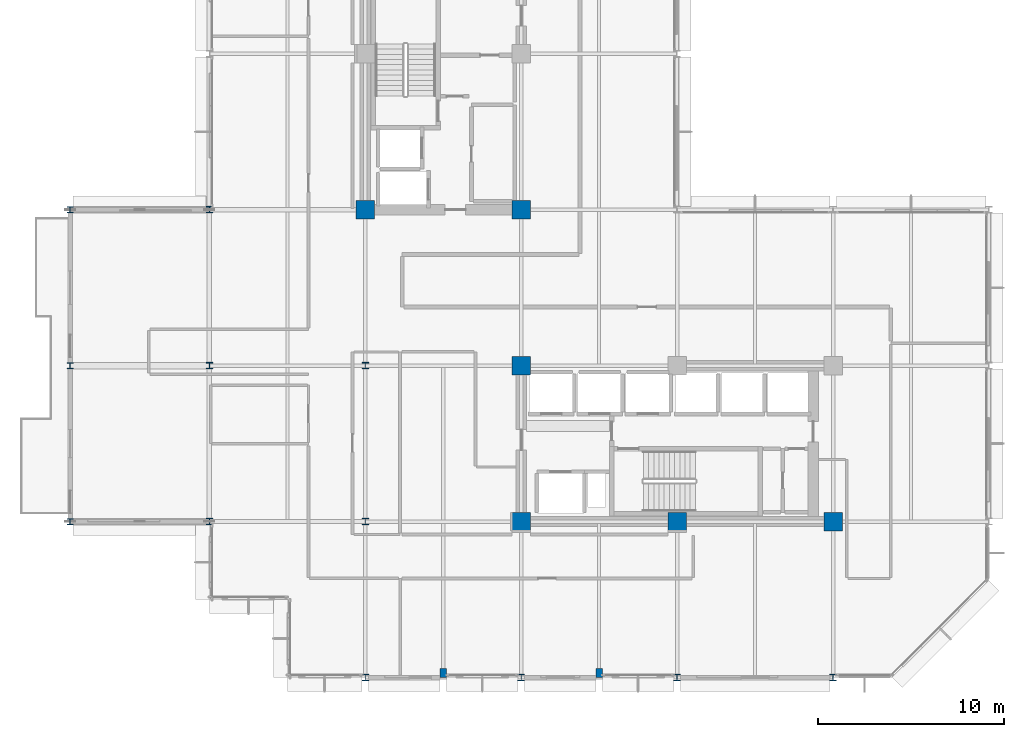
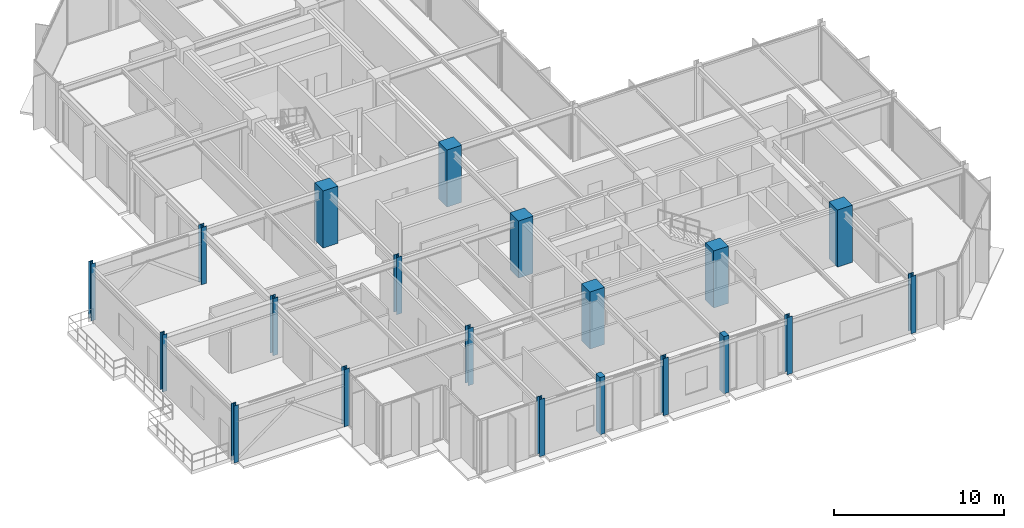
# One storey, part 1 of 30: 20 columns.
"""IFC4 building model written with IfcOpenShell, lengths in metres."""

from ifc_helpers import new_model, si_unit, direction, frame, origin, origin_2d, place, context, subcontext, project, spatial, rectangle, i_section, extrude, material, material_profile, profile_set, type_object, element, save


model = new_model("IFC4")

# Units and contexts
model_context = context("Model", 3, precision=1e-05, world=origin(), true_north=direction((0.0, 1.0)))
body_context = subcontext(model_context, "Body", "Model", "MODEL_VIEW")
ifc_project = project(units=[si_unit("LENGTHUNIT", "METRE"), si_unit("AREAUNIT", "SQUARE_METRE"), si_unit("VOLUMEUNIT", "CUBIC_METRE"), si_unit("PLANEANGLEUNIT", "RADIAN"), si_unit("MASSUNIT", "GRAM", prefix="KILO")], contexts=[model_context])

# Site, building, storey
site_placement = place(None, origin())
site = spatial("IfcSite", under=ifc_project, at=site_placement, CompositionType="ELEMENT")
building_placement = place(site_placement, origin())
building = spatial("IfcBuilding", under=site, at=building_placement, Name="Nerrivon Quay Data Exchange", CompositionType="ELEMENT")
storey_placement = place(building_placement, frame((0.0, 0.0, 171.39990234375)))
storey = spatial("IfcBuildingStorey", under=building, at=storey_placement, Name="L40", CompositionType="ELEMENT", Elevation=171.39990234375)

# Columns
ifc_material_1 = material(Name="Concrete S65 (65 MPa)", Category="concrete")
ifc_material_profile_1 = material_profile(ifc_material_1, rectangle(XDim=1.0, YDim=1.0, at=origin_2d()), Name="RC-COL-1000x1000")
ifc_profile_set_1 = profile_set([ifc_material_profile_1], Name="Concrete S65 (65 MPa)")
column_type_1 = type_object("IfcColumnType", Name="COL-C4-1000", PredefinedType="COLUMN", material=ifc_profile_set_1)
for number, where, z_axis, x_axis, name in (
    (1, (8.39990234375, 25.199951171875, 0.0), (0.0, 0.0, 1.0), (1.0, 0.0, 0.0), "L40 Column (8.4,25.2)"),
    (2, (16.800048828125, 8.39990234375, 0.0), (0.0, 0.0, 1.0), (1.0, 0.0, 0.0), "L40 Column (16.8,8.4)"),
    (3, (16.800048828125, 16.800048828125, 0.0), (0.0, 0.0, 1.0), (1.0, 0.0, 0.0), "L40 Column (16.8,16.8)"),
    (4, (16.800048828125, 25.199951171875, 0.0), (0.0, 0.0, 1.0), (1.0, 0.0, 0.0), "L40 Column (16.8,25.2)"),
    (5, (25.199951171875, 8.39990234375, 0.0), (0.0, 0.0, 1.0), (1.0, 0.0, 0.0), "L40 Column (25.2,8.4)"),
    (6, (33.60009765625, 8.39990234375, 0.0), (0.0, 0.0, 1.0), (1.0, 0.0, 0.0), "L40 Column (33.6,8.4)"),
):
    element("IfcColumn", number, at=place(storey_placement, frame(where, z_axis=z_axis, x_axis=x_axis)), inside=storey, type_object=column_type_1, Name=name, PredefinedType="COLUMN", context=body_context, shape_type="SweptSolid", body=[
        extrude(rectangle(XDim=1.0, YDim=1.0, at=origin_2d()), origin(), (0.0, 0.0, 1.0), 4.10009765625),
    ])
ifc_material_2 = material(Name="Steel Grade 350", Category="steel")
ifc_material_profile_2 = material_profile(ifc_material_2, i_section(OverallWidth=0.35009765625, OverallDepth=0.35009765625, WebThickness=0.02001953125, FlangeThickness=0.031982421875, at=origin_2d()), Name="350WC230")
ifc_profile_set_2 = profile_set([ifc_material_profile_2], Name="Steel Grade 350")
column_type_2 = type_object("IfcColumnType", Name="COL-SC3-350WC", PredefinedType="COLUMN", material=ifc_profile_set_2)
for number, where, z_axis, x_axis, name in (
    (7, (0.0, 8.39990234375, 0.0), (0.0, 0.0, 1.0), (1.0, 0.0, 0.0), "L40 Column (0.0,8.4)"),
    (8, (0.0, 16.800048828125, 0.0), (0.0, 0.0, 1.0), (1.0, 0.0, 0.0), "L40 Column (0.0,16.8)"),
    (9, (0.0, 25.199951171875, 0.0), (0.0, 0.0, 1.0), (1.0, 0.0, 0.0), "L40 Column (0.0,25.2)"),
    (10, (8.39990234375, 0.0, 0.0), (0.0, 0.0, 1.0), (1.0, 0.0, 0.0), "L40 Column (8.4,0.0)"),
    (11, (8.39990234375, 8.39990234375, 0.0), (0.0, 0.0, 1.0), (1.0, 0.0, 0.0), "L40 Column (8.4,8.4)"),
    (12, (8.39990234375, 16.800048828125, 0.0), (0.0, 0.0, 1.0), (1.0, 0.0, 0.0), "L40 Column (8.4,16.8)"),
    (13, (16.800048828125, 0.0, 0.0), (0.0, 0.0, 1.0), (1.0, 0.0, 0.0), "L40 Column (16.8,0.0)"),
    (14, (25.199951171875, 0.0, 0.0), (0.0, 0.0, 1.0), (1.0, 0.0, 0.0), "L40 Column (25.2,0.0)"),
    (15, (33.60009765625, 0.0, 0.0), (0.0, 0.0, 1.0), (1.0, 0.0, 0.0), "L40 Column (33.6,0.0)"),
):
    element("IfcColumn", number, at=place(storey_placement, frame(where, z_axis=z_axis, x_axis=x_axis)), inside=storey, type_object=column_type_2, Name=name, PredefinedType="COLUMN", context=body_context, shape_type="SweptSolid", body=[
        extrude(i_section(OverallWidth=0.35009765625, OverallDepth=0.35009765625, WebThickness=0.02001953125, FlangeThickness=0.031982421875, at=origin_2d()), origin(), (0.0, 0.0, 1.0), 4.10009765625),
    ])
ifc_material_profile_3 = material_profile(ifc_material_2, i_section(OverallWidth=0.31103515625, OverallDepth=0.326904296875, WebThickness=0.015625, FlangeThickness=0.02490234375, FilletRadius=0.0166015625, at=origin_2d()), Name="310UC158")
ifc_profile_set_3 = profile_set([ifc_material_profile_3], Name="Steel Grade 350")
column_type_3 = type_object("IfcColumnType", Name="COL-SC4-310UC158", PredefinedType="COLUMN", material=ifc_profile_set_3)
for number, where, z_axis, x_axis, name in (
    (16, (-7.5, 8.39990234375, 0.0), (0.0, 0.0, 1.0), (1.0, 0.0, 0.0), "L40 West Hooked Post (-7.5,8.4)"),
    (17, (-7.5, 16.800048828125, 0.0), (0.0, 0.0, 1.0), (1.0, 0.0, 0.0), "L40 West Hooked Post (-7.5,16.8)"),
    (18, (-7.5, 25.199951171875, 0.0), (0.0, 0.0, 1.0), (1.0, 0.0, 0.0), "L40 West Hooked Post (-7.5,25.2)"),
):
    element("IfcColumn", number, at=place(storey_placement, frame(where, z_axis=z_axis, x_axis=x_axis)), inside=storey, type_object=column_type_3, Name=name, PredefinedType="COLUMN", context=body_context, shape_type="SweptSolid", body=[
        extrude(i_section(OverallWidth=0.31103515625, OverallDepth=0.326904296875, WebThickness=0.015625, FlangeThickness=0.02490234375, FilletRadius=0.0166015625, at=origin_2d()), origin(), (0.0, 0.0, 1.0), 4.10009765625),
    ])
ifc_material_3 = material(Name="Concrete N50 (50 MPa)", Category="concrete")
ifc_material_profile_4 = material_profile(ifc_material_3, rectangle(XDim=0.35009765625, YDim=0.5, at=origin_2d()), Name="RC-PIL-500x350")
ifc_profile_set_4 = profile_set([ifc_material_profile_4], Name="Concrete N50 (50 MPa)")
column_type_4 = type_object("IfcColumnType", Name="PIL-P2-500x350", PredefinedType="PILASTER", material=ifc_profile_set_4)
for number, where, z_axis, x_axis, name in (
    (19, (12.60009765625, 0.25, 0.0), (0.0, 0.0, 1.0), (1.0, 0.0, 0.0), "L40 Facade Pilaster (12.6)"),
    (20, (21.0, 0.25, 0.0), (0.0, 0.0, 1.0), (1.0, 0.0, 0.0), "L40 Facade Pilaster (21.0)"),
):
    element("IfcColumn", number, at=place(storey_placement, frame(where, z_axis=z_axis, x_axis=x_axis)), inside=storey, type_object=column_type_4, Name=name, PredefinedType="PILASTER", context=body_context, shape_type="SweptSolid", body=[
        extrude(rectangle(XDim=0.35009765625, YDim=0.5, at=origin_2d()), origin(), (0.0, 0.0, 1.0), 4.10009765625),
    ])

save(model, "model.ifc")
